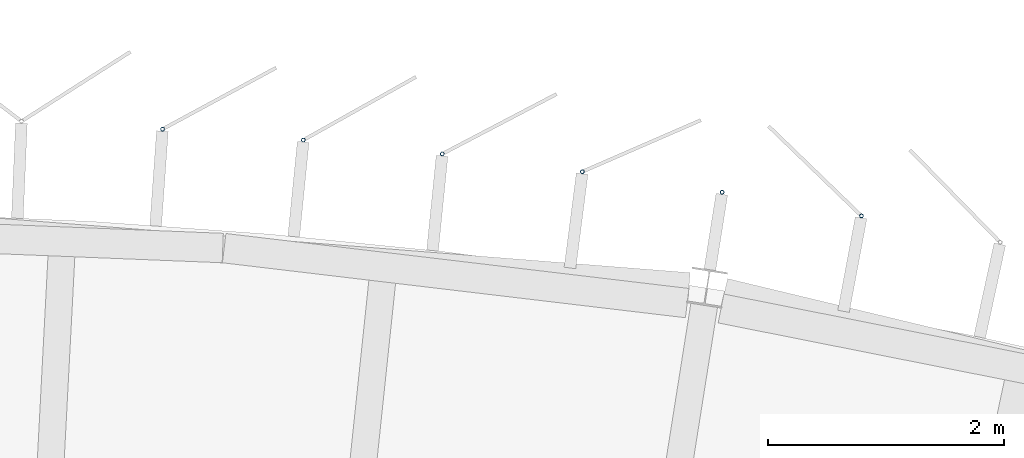
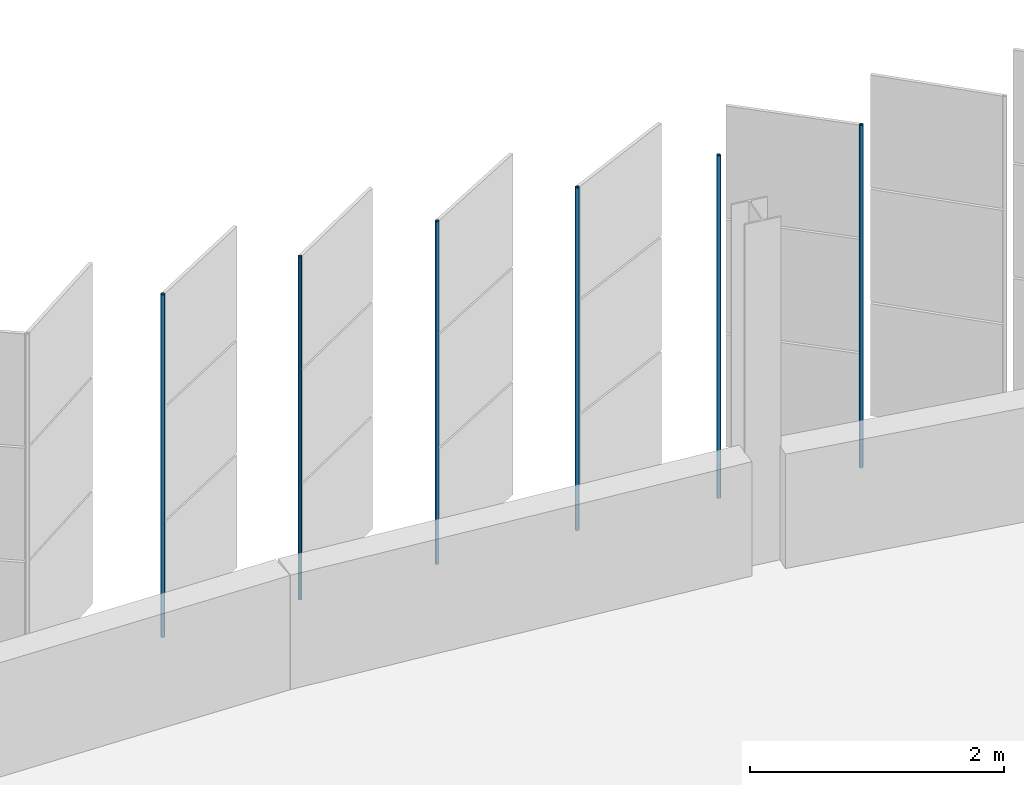
# One storey, part 157 of 199: 6 discrete accessories.
"""IFC4 building model written with IfcOpenShell, lengths in metres."""

from ifc_helpers import new_model, si_unit, direction, frame, origin, origin_2d, place, context, subcontext, project, spatial, hollow_circle, extrude, material, material_profile, profile_set, type_object, element, save


model = new_model("IFC4")

# Units and contexts
model_context = context("Model", 3, precision=1e-05, world=origin(), true_north=direction((0.0, 1.0)))
body_context = subcontext(model_context, "Body", "Model", "MODEL_VIEW")
ifc_project = project(units=[si_unit("LENGTHUNIT", "METRE"), si_unit("AREAUNIT", "SQUARE_METRE"), si_unit("VOLUMEUNIT", "CUBIC_METRE"), si_unit("PLANEANGLEUNIT", "RADIAN"), si_unit("MASSUNIT", "GRAM", prefix="KILO")], contexts=[model_context])

# Site, building, storey
site_placement = place(None, origin())
site = spatial("IfcSite", under=ifc_project, at=site_placement, CompositionType="ELEMENT")
building_placement = place(site_placement, origin())
building = spatial("IfcBuilding", under=site, at=building_placement, Name="Parallax Yard Mobility Hub", CompositionType="ELEMENT")
storey_placement = place(building_placement, frame((0.0, 0.0, 9.89990234375)))
storey = spatial("IfcBuildingStorey", under=building, at=storey_placement, Name="L03", CompositionType="ELEMENT", Elevation=9.89990234375)

# Discrete accessories
ifc_material = material(Name="Steel ASTM A500 Gr C, hot-dip galvanised", Category="steel")
ifc_material_profile = material_profile(ifc_material, hollow_circle(Radius=0.016845703125, WallThickness=0.003173828125, at=origin_2d()), Name="CHS 33.7x3.2")
ifc_profile_set = profile_set([ifc_material_profile], Name="Steel ASTM A500 Gr C, hot-dip galvanised")
discrete_accessory_type = type_object("IfcDiscreteAccessoryType", Name="Hinge post CHS 33.7x3.2", PredefinedType="BRACKET", material=ifc_profile_set)
for number, where, z_axis, x_axis, name in (
    (1, (182.02392578125, 142.4619140625, 0.0), (0.0, 0.0, 1.0), (1.0, 0.0, 0.0), "Hinge post bay 49.7 level L03"),
    (2, (180.84130859375, 142.662109375, 0.0), (0.0, 0.0, 1.0), (1.0, 0.0, 0.0), "Hinge post bay 50.1 level L03"),
    (3, (179.654541015625, 142.83740234375, 0.0), (0.0, 0.0, 1.0), (1.0, 0.0, 0.0), "Hinge post bay 50.2 level L03"),
    (4, (178.464599609375, 142.98779296875, 0.0), (0.0, 0.0, 1.0), (1.0, 0.0, 0.0), "Hinge post bay 50.3 level L03"),
    (5, (177.285888671875, 143.10595703125, 0.0), (0.0, 0.0, 1.0), (1.0, 0.0, 0.0), "Hinge post bay 50.4 level L03"),
    (6, (176.090087890625, 143.197998046875, 0.0), (0.0, 0.0, 1.0), (1.0, 0.0, 0.0), "Hinge post bay 50.5 level L03"),
):
    element("IfcDiscreteAccessory", number, at=place(storey_placement, frame(where, z_axis=z_axis, x_axis=x_axis)), inside=storey, type_object=discrete_accessory_type, Name=name, PredefinedType="BRACKET", context=body_context, shape_type="SweptSolid", body=[
        extrude(hollow_circle(Radius=0.016845703125, WallThickness=0.003173828125, at=origin_2d()), origin(), (0.0, 0.0, 1.0), 3.300048828125),
    ])

save(model, "model.ifc")
